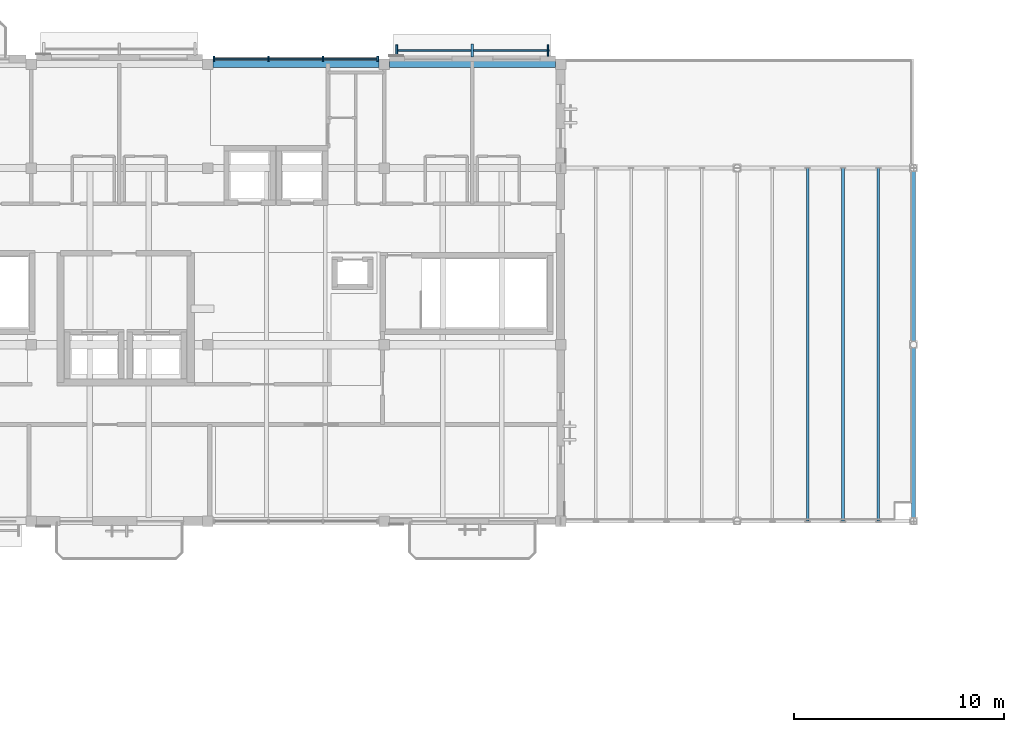
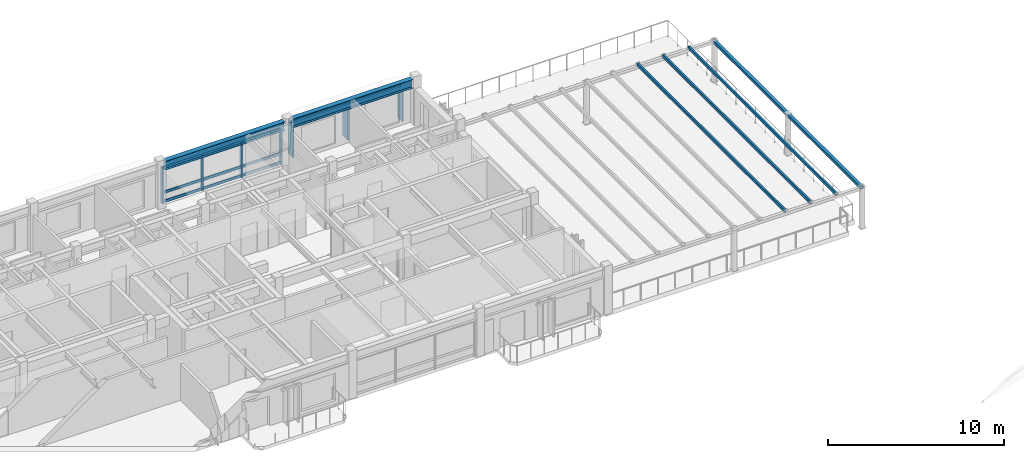
# One storey, part 7 of 24: 21 members, 2 beams, 2 elements without a shape of their own.
"""IFC4 building model written with IfcOpenShell, lengths in metres."""

from ifc_helpers import new_model, si_unit, direction, frame, origin, origin_2d, place, context, subcontext, project, spatial, rectangle, hollow_rectangle, i_section, extrude, material, material_profile, profile_set, type_object, element, aggregate, save


model = new_model("IFC4")

# Units and contexts
model_context = context("Model", 3, precision=1e-05, world=origin(), true_north=direction((0.0, 1.0)))
body_context = subcontext(model_context, "Body", "Model", "MODEL_VIEW")
ifc_project = project(units=[si_unit("LENGTHUNIT", "METRE"), si_unit("AREAUNIT", "SQUARE_METRE"), si_unit("VOLUMEUNIT", "CUBIC_METRE"), si_unit("PLANEANGLEUNIT", "RADIAN"), si_unit("MASSUNIT", "GRAM", prefix="KILO")], contexts=[model_context])

# Site, building, storey
site_placement = place(None, origin())
site = spatial("IfcSite", under=ifc_project, at=site_placement, CompositionType="ELEMENT")
building_placement = place(site_placement, origin())
building = spatial("IfcBuilding", under=site, at=building_placement, Name="Cumbredor Promenade Congress Hotel", CompositionType="ELEMENT")
storey_placement = place(building_placement, frame((0.0, 0.0, 35.280029296875)))
storey = spatial("IfcBuildingStorey", under=building, at=storey_placement, Name="L10", CompositionType="ELEMENT", Elevation=35.280029296875)

# Beams
ifc_material_1 = material(Name="Steel ASTM A992 Grade 50", Category="steel")
ifc_material_profile_1 = material_profile(ifc_material_1, i_section(OverallWidth=0.323974609375, OverallDepth=0.611083984375, WebThickness=0.0126953125, FlangeThickness=0.01904296875, at=origin_2d()), Name="W24X104")
ifc_profile_set_1 = profile_set([ifc_material_profile_1], Name="Steel ASTM A992 Grade 50")
beam_type = type_object("IfcBeamType", Name="BM-W24X104", PredefinedType="BEAM", material=ifc_profile_set_1)
for number, where, z_axis, x_axis, name in (
    (1, (33.85009765625, 114.14990234375, 2.83447265625), (1.0, 0.0, 0.0), (0.0, 1.0, 0.0), "RF X-Grid Beam 016"),
    (2, (42.25, 114.14990234375, 2.83447265625), (1.0, 0.0, 0.0), (0.0, 1.0, 0.0), "RF X-Grid Beam 020"),
):
    element("IfcBeam", number, at=place(storey_placement, frame(where, z_axis=z_axis, x_axis=x_axis)), inside=storey, type_object=beam_type, Name=name, PredefinedType="BEAM", context=body_context, shape_type="SweptSolid", body=[
        extrude(i_section(OverallWidth=0.323974609375, OverallDepth=0.611083984375, WebThickness=0.0126953125, FlangeThickness=0.01904296875, at=origin_2d()), origin(), (0.0, 0.0, 1.0), 7.89990234375),
    ])

# Curtain wall, members
ifc_material_2 = material(Name="Thermally broken anodized aluminium and low-E glass", Category="aluminium")
curtain_wall_type_1 = type_object("IfcCurtainWallType", Name="Unitised Bronze Curtain Wall CW-01", PredefinedType="NOTDEFINED", material=ifc_material_2)
curtain_wall_1_placement = place(storey_placement, origin())
curtain_wall_1 = element("IfcCurtainWall", 3, at=curtain_wall_1_placement, inside=storey, type_object=curtain_wall_type_1, Name="L10 Stepped Congress Hotel Wing North Curtain Wall 4", PredefinedType="NOTDEFINED")
ifc_material_3 = material(Name="Thermally broken anodized aluminium", Category="aluminium")
ifc_material_profile_2 = material_profile(ifc_material_3, rectangle(XDim=0.080078125, YDim=0.239990234375, at=origin_2d()), Name="ALU MULLION 80x240")
ifc_profile_set_2 = profile_set([ifc_material_profile_2], Name="Thermally broken anodized aluminium")
member_type_1 = type_object("IfcMemberType", Name="Curtain Wall Mullion ML-03", PredefinedType="MULLION", material=ifc_profile_set_2)
member_1_placement = place(storey_placement, frame((33.905029296875, 114.39990234375, -0.008056640625), z_axis=(0.0, 0.0, 1.0), x_axis=(1.0, 0.0, 0.0)))
member_1 = element("IfcMember", 4, at=member_1_placement, type_object=member_type_1, Name="L10 Stepped Congress Hotel Wing North Curtain Wall 4 Mullion 1", PredefinedType="MULLION", context=body_context, shape_type="SweptSolid", body=[
    extrude(rectangle(XDim=0.080078125, YDim=0.239990234375, at=origin_2d()), origin(), (0.0, 0.0, 1.0), 2.530029296875),
])
member_2_placement = place(storey_placement, frame((36.501708984375, 114.39990234375, -0.008056640625), z_axis=(0.0, 0.0, 1.0), x_axis=(1.0, 0.0, 0.0)))
member_2 = element("IfcMember", 5, at=member_2_placement, type_object=member_type_1, Name="L10 Stepped Congress Hotel Wing North Curtain Wall 4 Mullion 2", PredefinedType="MULLION", context=body_context, shape_type="SweptSolid", body=[
    extrude(rectangle(XDim=0.080078125, YDim=0.239990234375, at=origin_2d()), origin(), (0.0, 0.0, 1.0), 2.530029296875),
])
member_3_placement = place(storey_placement, frame((39.098388671875, 114.39990234375, -0.008056640625), z_axis=(0.0, 0.0, 1.0), x_axis=(1.0, 0.0, 0.0)))
member_3 = element("IfcMember", 6, at=member_3_placement, type_object=member_type_1, Name="L10 Stepped Congress Hotel Wing North Curtain Wall 4 Mullion 3", PredefinedType="MULLION", context=body_context, shape_type="SweptSolid", body=[
    extrude(rectangle(XDim=0.080078125, YDim=0.239990234375, at=origin_2d()), origin(), (0.0, 0.0, 1.0), 2.530029296875),
])
member_4_placement = place(storey_placement, frame((41.695068359375, 114.39990234375, -0.008056640625), z_axis=(0.0, 0.0, 1.0), x_axis=(1.0, 0.0, 0.0)))
member_4 = element("IfcMember", 7, at=member_4_placement, type_object=member_type_1, Name="L10 Stepped Congress Hotel Wing North Curtain Wall 4 Mullion 4", PredefinedType="MULLION", context=body_context, shape_type="SweptSolid", body=[
    extrude(rectangle(XDim=0.080078125, YDim=0.239990234375, at=origin_2d()), origin(), (0.0, 0.0, 1.0), 2.530029296875),
])

# Curtain wall, member
curtain_wall_type_2 = type_object("IfcCurtainWallType", Name="Solar Brise-Soleil Screen Assembly CW-07", PredefinedType="NOTDEFINED", material=ifc_material_2)
curtain_wall_2_placement = place(storey_placement, origin())
curtain_wall_2 = element("IfcCurtainWall", 8, at=curtain_wall_2_placement, inside=storey, type_object=curtain_wall_type_2, Name="L10 Hospitality Brise-Soleil Screen 120", PredefinedType="NOTDEFINED")
ifc_material_profile_3 = material_profile(ifc_material_3, rectangle(XDim=0.06494140625, YDim=0.1298828125, at=origin_2d()), Name="ALU TRANSOM 65x130")
ifc_profile_set_3 = profile_set([ifc_material_profile_3], Name="Thermally broken anodized aluminium")
member_type_2 = type_object("IfcMemberType", Name="Curtain Wall Transom TR-01", PredefinedType="USERDEFINED", material=ifc_profile_set_3)
member_5_placement = place(storey_placement, frame((42.551025390625, 114.7900390625, 2.333984375), z_axis=(1.0, 0.0, 0.0), x_axis=(0.0, 1.0, 0.0)))
member_5 = element("IfcMember", 9, at=member_5_placement, type_object=member_type_2, Name="L10 Brise-Soleil Screen Transom 120", ObjectType="TRANSOM", PredefinedType="USERDEFINED", context=body_context, shape_type="SweptSolid", body=[
    extrude(rectangle(XDim=0.06494140625, YDim=0.1298828125, at=origin_2d()), origin(), (0.0, 0.0, 1.0), 7.298095703125),
])

# Member
ifc_material_profile_4 = material_profile(ifc_material_3, rectangle(XDim=0.080078125, YDim=0.179931640625, at=origin_2d()), Name="ALU TRANSOM 80x180")
ifc_profile_set_4 = profile_set([ifc_material_profile_4], Name="Thermally broken anodized aluminium")
member_type_3 = type_object("IfcMemberType", Name="Curtain Wall Transom TR-03", PredefinedType="USERDEFINED", material=ifc_profile_set_4)
member_6_placement = place(storey_placement, frame((33.945068359375, 114.39990234375, 0.090087890625), z_axis=(1.0, 0.0, 0.0), x_axis=(0.0, 1.0, 0.0)))
member_6 = element("IfcMember", 10, at=member_6_placement, type_object=member_type_3, Name="L10 Stepped Congress Hotel Wing North Curtain Wall 4 Transom 1.1", ObjectType="TRANSOM", PredefinedType="USERDEFINED", context=body_context, shape_type="SweptSolid", body=[
    extrude(rectangle(XDim=0.080078125, YDim=0.179931640625, at=origin_2d()), origin(), (0.0, 0.0, 1.0), 2.5166015625),
])

member_7_placement = place(storey_placement, frame((33.945068359375, 114.39990234375, 0.719970703125), z_axis=(1.0, 0.0, 0.0), x_axis=(0.0, 1.0, 0.0)))
member_7 = element("IfcMember", 11, at=member_7_placement, type_object=member_type_3, Name="L10 Stepped Congress Hotel Wing North Curtain Wall 4 Transom 1.2", ObjectType="TRANSOM", PredefinedType="USERDEFINED", context=body_context, shape_type="SweptSolid", body=[
    extrude(rectangle(XDim=0.080078125, YDim=0.179931640625, at=origin_2d()), origin(), (0.0, 0.0, 1.0), 2.5166015625),
])

member_8_placement = place(storey_placement, frame((33.945068359375, 114.39990234375, 2.419921875), z_axis=(1.0, 0.0, 0.0), x_axis=(0.0, 1.0, 0.0)))
member_8 = element("IfcMember", 12, at=member_8_placement, type_object=member_type_3, Name="L10 Stepped Congress Hotel Wing North Curtain Wall 4 Transom 1.3", ObjectType="TRANSOM", PredefinedType="USERDEFINED", context=body_context, shape_type="SweptSolid", body=[
    extrude(rectangle(XDim=0.080078125, YDim=0.179931640625, at=origin_2d()), origin(), (0.0, 0.0, 1.0), 2.5166015625),
])

member_9_placement = place(storey_placement, frame((36.541748046875, 114.39990234375, 0.090087890625), z_axis=(1.0, 0.0, 0.0), x_axis=(0.0, 1.0, 0.0)))
member_9 = element("IfcMember", 13, at=member_9_placement, type_object=member_type_3, Name="L10 Stepped Congress Hotel Wing North Curtain Wall 4 Transom 2.1", ObjectType="TRANSOM", PredefinedType="USERDEFINED", context=body_context, shape_type="SweptSolid", body=[
    extrude(rectangle(XDim=0.080078125, YDim=0.179931640625, at=origin_2d()), origin(), (0.0, 0.0, 1.0), 2.5166015625),
])

member_10_placement = place(storey_placement, frame((36.541748046875, 114.39990234375, 0.719970703125), z_axis=(1.0, 0.0, 0.0), x_axis=(0.0, 1.0, 0.0)))
member_10 = element("IfcMember", 14, at=member_10_placement, type_object=member_type_3, Name="L10 Stepped Congress Hotel Wing North Curtain Wall 4 Transom 2.2", ObjectType="TRANSOM", PredefinedType="USERDEFINED", context=body_context, shape_type="SweptSolid", body=[
    extrude(rectangle(XDim=0.080078125, YDim=0.179931640625, at=origin_2d()), origin(), (0.0, 0.0, 1.0), 2.5166015625),
])

member_11_placement = place(storey_placement, frame((36.541748046875, 114.39990234375, 2.419921875), z_axis=(1.0, 0.0, 0.0), x_axis=(0.0, 1.0, 0.0)))
member_11 = element("IfcMember", 15, at=member_11_placement, type_object=member_type_3, Name="L10 Stepped Congress Hotel Wing North Curtain Wall 4 Transom 2.3", ObjectType="TRANSOM", PredefinedType="USERDEFINED", context=body_context, shape_type="SweptSolid", body=[
    extrude(rectangle(XDim=0.080078125, YDim=0.179931640625, at=origin_2d()), origin(), (0.0, 0.0, 1.0), 2.5166015625),
])

member_12_placement = place(storey_placement, frame((39.13818359375, 114.39990234375, 0.090087890625), z_axis=(1.0, 0.0, 0.0), x_axis=(0.0, 1.0, 0.0)))
member_12 = element("IfcMember", 16, at=member_12_placement, type_object=member_type_3, Name="L10 Stepped Congress Hotel Wing North Curtain Wall 4 Transom 3.1", ObjectType="TRANSOM", PredefinedType="USERDEFINED", context=body_context, shape_type="SweptSolid", body=[
    extrude(rectangle(XDim=0.080078125, YDim=0.179931640625, at=origin_2d()), origin(), (0.0, 0.0, 1.0), 2.516845703125),
])

member_13_placement = place(storey_placement, frame((39.13818359375, 114.39990234375, 0.719970703125), z_axis=(1.0, 0.0, 0.0), x_axis=(0.0, 1.0, 0.0)))
member_13 = element("IfcMember", 17, at=member_13_placement, type_object=member_type_3, Name="L10 Stepped Congress Hotel Wing North Curtain Wall 4 Transom 3.2", ObjectType="TRANSOM", PredefinedType="USERDEFINED", context=body_context, shape_type="SweptSolid", body=[
    extrude(rectangle(XDim=0.080078125, YDim=0.179931640625, at=origin_2d()), origin(), (0.0, 0.0, 1.0), 2.516845703125),
])

member_14_placement = place(storey_placement, frame((39.13818359375, 114.39990234375, 2.419921875), z_axis=(1.0, 0.0, 0.0), x_axis=(0.0, 1.0, 0.0)))
member_14 = element("IfcMember", 18, at=member_14_placement, type_object=member_type_3, Name="L10 Stepped Congress Hotel Wing North Curtain Wall 4 Transom 3.3", ObjectType="TRANSOM", PredefinedType="USERDEFINED", context=body_context, shape_type="SweptSolid", body=[
    extrude(rectangle(XDim=0.080078125, YDim=0.179931640625, at=origin_2d()), origin(), (0.0, 0.0, 1.0), 2.516845703125),
])

aggregate(curtain_wall_1, [member_1, member_2, member_3, member_4, member_6, member_7, member_8, member_9, member_10, member_11, member_12, member_13, member_14])

# Members
ifc_material_4 = material(Name="Steel ASTM A500 Grade C", Category="steel")
ifc_material_profile_5 = material_profile(ifc_material_4, hollow_rectangle(XDim=0.199951171875, YDim=0.199951171875, WallThickness=0.012451171875, at=origin_2d()), Name="HSS 200x200x12.5")
ifc_profile_set_5 = profile_set([ifc_material_profile_5], Name="Steel ASTM A500 Grade C")
member_type_4 = type_object("IfcMemberType", Name="Link Bridge Truss Chord", PredefinedType="CHORD", material=ifc_profile_set_5)
member_15_placement = place(storey_placement, frame((67.199951171875, 92.39990234375, 2.75), z_axis=(0.0, 1.0, 0.0), x_axis=(-1.0, 0.0, 0.0)))
element("IfcMember", 19, at=member_15_placement, inside=storey, type_object=member_type_4, Name="L10 Sky-Garden Pergola Tie Beam 5E", PredefinedType="CHORD", context=body_context, shape_type="SweptSolid", body=[
    extrude(hollow_rectangle(XDim=0.199951171875, YDim=0.199951171875, WallThickness=0.012451171875, at=origin_2d()), origin(), (0.0, 0.0, 1.0), 16.800048828125),
])
ifc_material_profile_6 = material_profile(ifc_material_4, hollow_rectangle(XDim=0.1201171875, YDim=0.199951171875, WallThickness=0.010009765625, at=origin_2d()), Name="HSS 200x120x10")
ifc_profile_set_6 = profile_set([ifc_material_profile_6], Name="Steel ASTM A500 Grade C")
member_type_5 = type_object("IfcMemberType", Name="Roof Purlin HSS200x120", PredefinedType="PURLIN", material=ifc_profile_set_6)
for number, where, z_axis, x_axis, name in (
    (20, (62.159912109375, 92.39990234375, 2.89990234375), (0.0, 1.0, 0.0), (-1.0, 0.0, 0.0), "L10 Sky-Garden Trellis Slat 5.8"),
    (21, (63.840087890625, 92.39990234375, 2.89990234375), (0.0, 1.0, 0.0), (-1.0, 0.0, 0.0), "L10 Sky-Garden Trellis Slat 5.9"),
    (22, (65.52001953125, 92.39990234375, 2.89990234375), (0.0, 1.0, 0.0), (-1.0, 0.0, 0.0), "L10 Sky-Garden Trellis Slat 5.10"),
):
    element("IfcMember", number, at=place(storey_placement, frame(where, z_axis=z_axis, x_axis=x_axis)), inside=storey, type_object=member_type_5, Name=name, PredefinedType="PURLIN", context=body_context, shape_type="SweptSolid", body=[
        extrude(hollow_rectangle(XDim=0.1201171875, YDim=0.199951171875, WallThickness=0.010009765625, at=origin_2d()), origin(), (0.0, 0.0, 1.0), 16.800048828125),
    ])

# Member
ifc_material_profile_7 = material_profile(ifc_material_3, rectangle(XDim=0.110107421875, YDim=0.6201171875, at=origin_2d()), Name="ARCH FIN 110x620")
ifc_profile_set_7 = profile_set([ifc_material_profile_7], Name="Thermally broken anodized aluminium")
member_type_6 = type_object("IfcMemberType", Name="Vertical Bronze Brise-Soleil Fin BSF-02 110x620", PredefinedType="USERDEFINED", material=ifc_profile_set_7)
member_16_placement = place(storey_placement, frame((46.199951171875, 114.7900390625, 0.02001953125), z_axis=(0.0, 0.0, 1.0), x_axis=(1.0, 0.0, 0.0)))
member_16 = element("IfcMember", 23, at=member_16_placement, type_object=member_type_6, Name="L10 Vertical Brise-Soleil Fin 1172", ObjectType="SOLAR FIN", PredefinedType="USERDEFINED", context=body_context, shape_type="SweptSolid", body=[
    extrude(rectangle(XDim=0.110107421875, YDim=0.6201171875, at=origin_2d()), origin(), (0.0, 0.0, 1.0), 2.3740234375),
])

ifc_material_5 = material(Name="Kiln-dried tropical hardwood", Category="wood")
ifc_material_profile_8 = material_profile(ifc_material_5, rectangle(XDim=0.090087890625, YDim=0.550048828125, at=origin_2d()), Name="ARCH FIN 90x550")
ifc_profile_set_8 = profile_set([ifc_material_profile_8], Name="Kiln-dried tropical hardwood")
member_type_7 = type_object("IfcMemberType", Name="Vertical Hardwood Brise-Soleil Fin BSF-01 90x550", PredefinedType="USERDEFINED", material=ifc_profile_set_8)
member_17_placement = place(storey_placement, frame((42.60107421875, 114.7900390625, 0.02001953125), z_axis=(0.0, 0.0, 1.0), x_axis=(1.0, 0.0, 0.0)))
member_17 = element("IfcMember", 24, at=member_17_placement, type_object=member_type_7, Name="L10 Vertical Brise-Soleil Fin 1171", ObjectType="SOLAR FIN", PredefinedType="USERDEFINED", context=body_context, shape_type="SweptSolid", body=[
    extrude(rectangle(XDim=0.090087890625, YDim=0.550048828125, at=origin_2d()), origin(), (0.0, 0.0, 1.0), 2.3740234375),
])

member_18_placement = place(storey_placement, frame((49.799072265625, 114.7900390625, 0.02001953125), z_axis=(0.0, 0.0, 1.0), x_axis=(1.0, 0.0, 0.0)))
member_18 = element("IfcMember", 25, at=member_18_placement, type_object=member_type_7, Name="L10 Vertical Brise-Soleil Fin 1173", ObjectType="SOLAR FIN", PredefinedType="USERDEFINED", context=body_context, shape_type="SweptSolid", body=[
    extrude(rectangle(XDim=0.090087890625, YDim=0.550048828125, at=origin_2d()), origin(), (0.0, 0.0, 1.0), 2.3740234375),
])

aggregate(curtain_wall_2, [member_5, member_17, member_16, member_18])

save(model, "model.ifc")
